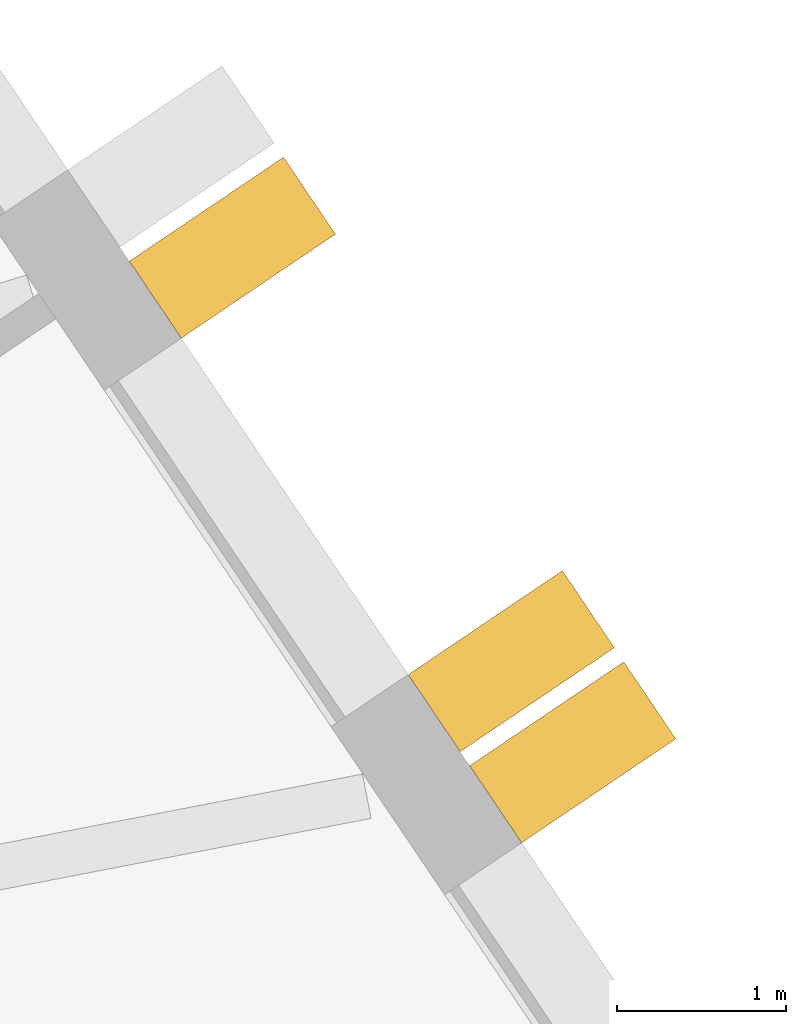
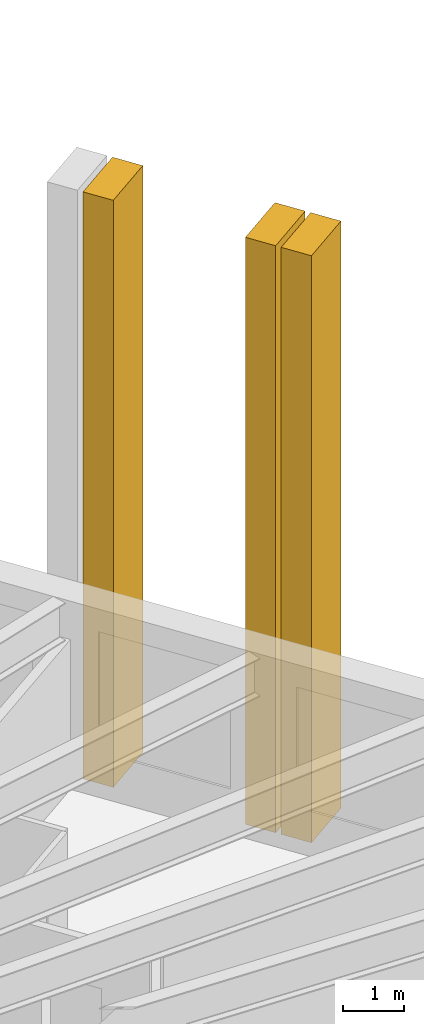
# One storey, part 12 of 12: 3 shading devices.
"""IFC4 building model written with IfcOpenShell, lengths in metres."""

from ifc_helpers import new_model, si_unit, direction, frame, origin, place, context, subcontext, project, spatial, polyline, outline, extrude, material, layer, layer_set, type_object, element, save


model = new_model("IFC4")

# Units and contexts
model_context = context("Model", 3, precision=1e-05, world=origin(), true_north=direction((0.0, 1.0)))
body_context = subcontext(model_context, "Body", "Model", "MODEL_VIEW")
ifc_project = project(units=[si_unit("LENGTHUNIT", "METRE"), si_unit("AREAUNIT", "SQUARE_METRE"), si_unit("VOLUMEUNIT", "CUBIC_METRE"), si_unit("PLANEANGLEUNIT", "RADIAN"), si_unit("MASSUNIT", "GRAM", prefix="KILO")], contexts=[model_context])

# Site, building, storey
site_placement = place(None, origin())
site = spatial("IfcSite", under=ifc_project, at=site_placement, CompositionType="ELEMENT")
building_placement = place(site_placement, origin())
building = spatial("IfcBuilding", under=site, at=building_placement, Name="Tarnside Tower", CompositionType="ELEMENT")
storey_placement = place(building_placement, frame((0.0, 0.0, 37.5)))
storey = spatial("IfcBuildingStorey", under=building, at=storey_placement, Name="L06", CompositionType="ELEMENT", Elevation=37.5)

# Shading devices
ifc_material = material(Name="Concrete C50/60 white precast", Category="concrete")
ifc_layer = layer(ifc_material, 0.550048828125)
ifc_layer_set = layer_set([ifc_layer], Name="Precast fin 550 x 1100")
shading_device_type = type_object("IfcShadingDeviceType", Name="Precast fin 550 x 1100", PredefinedType="USERDEFINED", material=ifc_layer_set)
for number, where, z_axis, x_axis, name in (
    (1, (31.769287109375, 6.548583984375, -0.14990234375), (0.559192903471, -0.829037572555, 0.0), (0.829037572555, 0.559192903471, 0.0), "Precast fin"),
    (2, (31.406005859375, 7.087646484375, -0.14990234375), (0.559192903471, -0.829037572555, 0.0), (0.829037572555, 0.559192903471, 0.0), "Precast fin"),
    (3, (29.75634765625, 9.533203125, -0.14990234375), (0.559192903471, -0.829037572555, 0.0), (0.829037572555, 0.559192903471, 0.0), "Precast fin"),
):
    element("IfcShadingDevice", number, at=place(storey_placement, frame(where, z_axis=z_axis, x_axis=x_axis)), inside=storey, type_object=shading_device_type, Name=name, ObjectType="FIN", PredefinedType="USERDEFINED", context=body_context, shape_type="SweptSolid", body=[
        extrude(outline(polyline([(0.0, 0.0), (1.10009765625, 0.0), (1.10009765625, 11.699951171875), (0.0, 11.699951171875), (0.0, 0.0)])), frame((0.0, 0.0, -0.27490234375)), (0.0, 0.0, 1.0), 0.550048828125),
    ])

save(model, "model.ifc")
